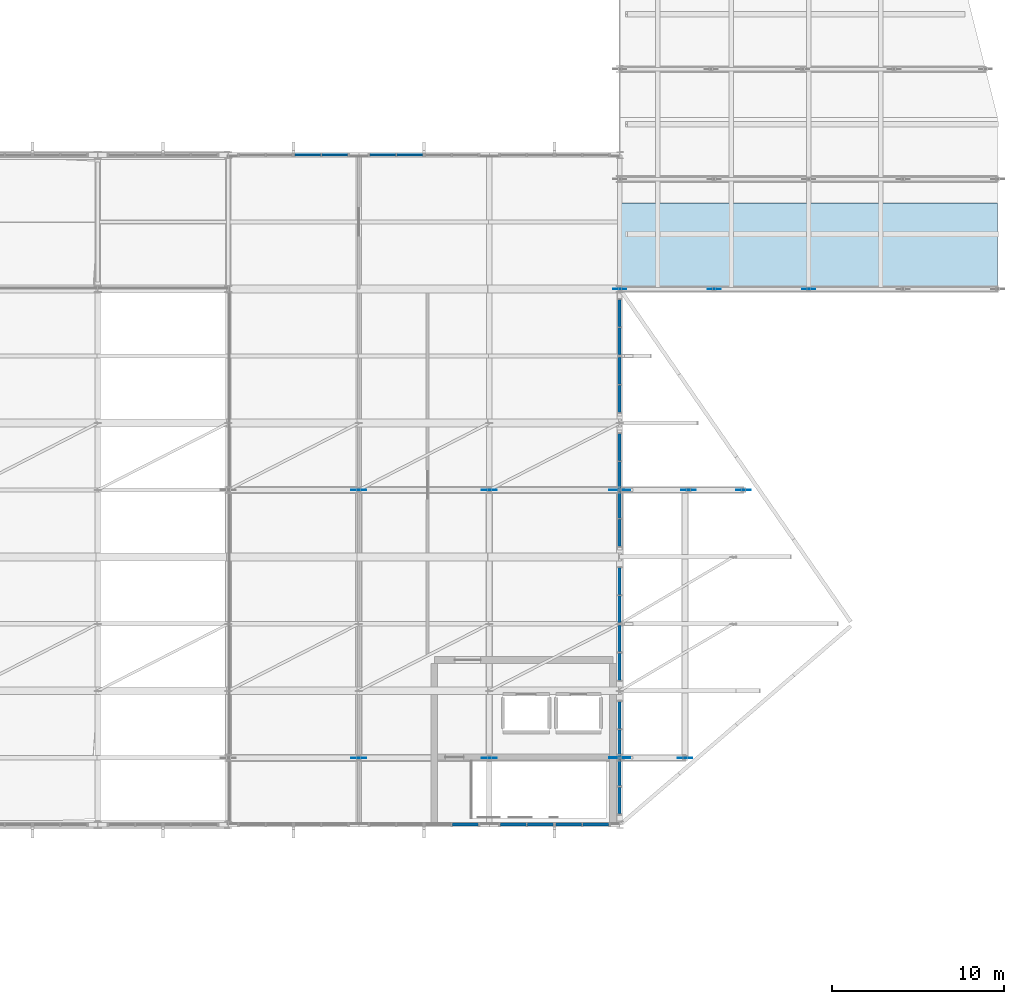
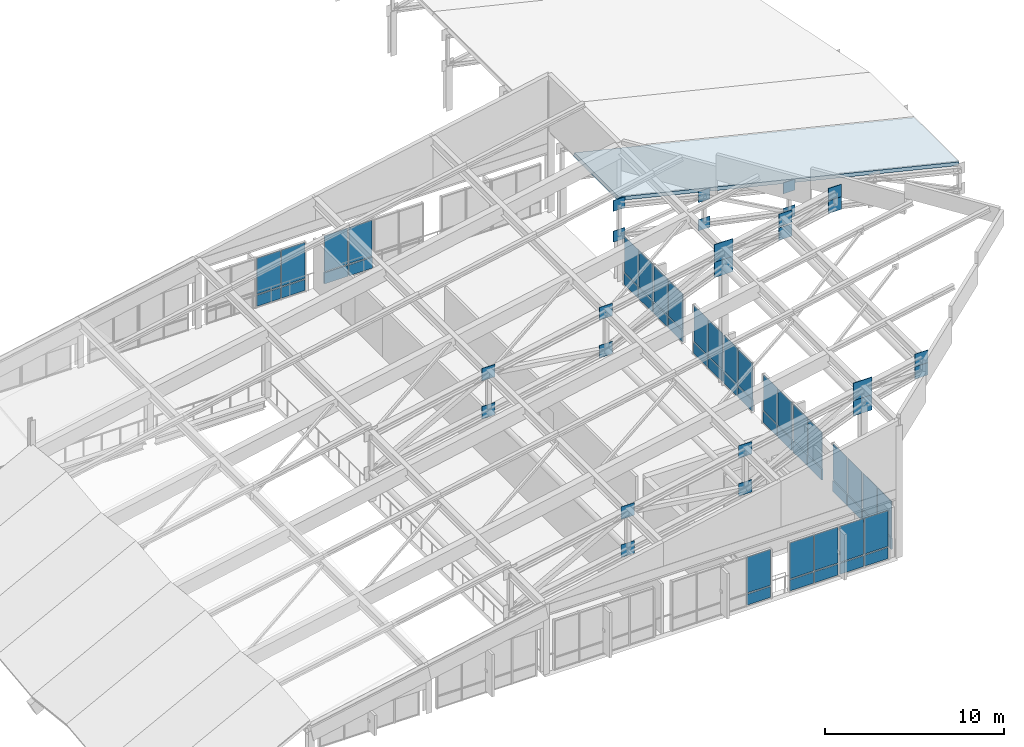
# One storey, part 41 of 73: 74 plates, 1 slab, 13 elements without a shape of their own.
"""IFC4 building model written with IfcOpenShell, lengths in metres."""

from ifc_helpers import new_model, si_unit, direction, frame, origin, origin_2d, place, context, subcontext, project, spatial, polyline, rectangle, outline, extrude, material, layer, layer_set, type_object, element, aggregate, save


model = new_model("IFC4")

# Units and contexts
model_context = context("Model", 3, precision=1e-05, world=origin(), true_north=direction((0.0, 1.0)))
body_context = subcontext(model_context, "Body", "Model", "MODEL_VIEW")
ifc_project = project(units=[si_unit("LENGTHUNIT", "METRE"), si_unit("AREAUNIT", "SQUARE_METRE"), si_unit("VOLUMEUNIT", "CUBIC_METRE"), si_unit("PLANEANGLEUNIT", "RADIAN"), si_unit("MASSUNIT", "GRAM", prefix="KILO")], contexts=[model_context])

# Site, building, storey
site_placement = place(None, origin())
site = spatial("IfcSite", under=ifc_project, at=site_placement, CompositionType="ELEMENT")
building_placement = place(site_placement, origin())
building = spatial("IfcBuilding", under=site, at=building_placement, Name="Vervanel Yard Central Library", CompositionType="ELEMENT")
storey_placement = place(building_placement, frame((0.0, 0.0, 12.780029296875)))
storey = spatial("IfcBuildingStorey", under=building, at=storey_placement, Name="L03", CompositionType="ELEMENT", Elevation=12.780029296875)

# Slab
ifc_material_1 = material(Name="Concrete C45/55", Category="concrete")
ifc_layer_1 = layer(ifc_material_1, 0.239990234375, Category="concrete")
ifc_layer_set_1 = layer_set([ifc_layer_1], Name="Concrete C45/55")
slab_type = type_object("IfcSlabType", Name="Auditorium Acoustic Sloped Roof Slab 240", PredefinedType="ROOF", material=ifc_layer_set_1)
slab_placement = place(storey_placement, frame((146.0, 74.39990234375, 5.619873046875), z_axis=(0.234200379934, 0.0, 0.972188346998), x_axis=(0.972188346998, 0.0, -0.234200379934)))
element("IfcSlab", 1, at=slab_placement, inside=storey, type_object=slab_type, Name="L03 V4 Auditorium Acoustic Sloped Roof Slab 240 V4-RS-01", PredefinedType="ROOF", context=body_context, shape_type="SweptSolid", body=[
    extrude(outline(polyline([(0.0, 0.0), (22.629359905345247, 0.0), (22.629359905345247, 5.000000000000001), (0.0, 5.000000000000001), (0.0, 0.0)])), origin(), (0.0, 0.0, -1.0), 0.239990234375),
])

# Plates
ifc_material_2 = material(Name="Steel ASTM A572 Grade 50", Category="steel")
ifc_layer_2 = layer(ifc_material_2, 0.028076171875, Category="steel")
ifc_layer_set_2 = layer_set([ifc_layer_2], Name="Steel ASTM A572 Grade 50")
plate_type_1 = type_object("IfcPlateType", Name="Auditorium Truss Gusset Plate 28", PredefinedType="SHEET", material=ifc_layer_set_2)
for number, where, z_axis, x_axis, name in (
    (2, (146.0, 74.39990234375, 4.764892578125), (0.0, 0.0, 1.0), (1.0, 0.0, 0.0), "Auditorium Truss 1 Node 1 T Gusset Plate"),
    (3, (146.0, 74.39990234375, 2.6650390625), (0.0, 0.0, 1.0), (1.0, 0.0, 0.0), "Auditorium Truss 1 Node 1 B Gusset Plate"),
    (4, (151.5, 74.39990234375, 3.43994140625), (0.0, 0.0, 1.0), (1.0, 0.0, 0.0), "Auditorium Truss 1 Node 2 T Gusset Plate"),
    (5, (151.5, 74.39990234375, 1.514892578125), (0.0, 0.0, 1.0), (1.0, 0.0, 0.0), "Auditorium Truss 1 Node 2 B Gusset Plate"),
    (6, (157.0, 74.39990234375, 2.114990234375), (0.0, 0.0, 1.0), (1.0, 0.0, 0.0), "Auditorium Truss 1 Node 3 T Gusset Plate"),
    (7, (157.0, 74.39990234375, 0.364990234375), (0.0, 0.0, 1.0), (1.0, 0.0, 0.0), "Auditorium Truss 1 Node 3 B Gusset Plate"),
):
    element("IfcPlate", number, at=place(storey_placement, frame(where, z_axis=z_axis, x_axis=x_axis)), inside=storey, type_object=plate_type_1, Name=name, PredefinedType="SHEET", context=body_context, shape_type="SweptSolid", body=[
        extrude(rectangle(XDim=0.75, YDim=0.028076171875, at=origin_2d()), origin(), (0.0, 0.0, 1.0), 0.75),
    ])
ifc_layer_3 = layer(ifc_material_2, 0.0400390625, Category="steel")
ifc_layer_set_3 = layer_set([ifc_layer_3], Name="Steel ASTM A572 Grade 50")
plate_type_2 = type_object("IfcPlateType", Name="Prow Truss Fulcrum Gusset Plate 40", PredefinedType="SHEET", material=ifc_layer_set_3)
for number, where, z_axis, x_axis, name in (
    (8, (146.0, 47.10009765625, 8.46533203125), (0.0, 0.0, 1.0), (1.0, 0.0, 0.0), "Prow Truss S Node 4 TOP Gusset Plate"),
    (9, (146.0, 47.10009765625, 7.41552734375), (0.0, 0.0, 1.0), (1.0, 0.0, 0.0), "Prow Truss S Node 4 BOT Gusset Plate"),
    (10, (146.0, 62.699951171875, 8.46533203125), (0.0, 0.0, 1.0), (1.0, 0.0, 0.0), "Prow Truss N Node 4 TOP Gusset Plate"),
    (11, (146.0, 62.699951171875, 7.41552734375), (0.0, 0.0, 1.0), (1.0, 0.0, 0.0), "Prow Truss N Node 4 BOT Gusset Plate"),
):
    element("IfcPlate", number, at=place(storey_placement, frame(where, z_axis=z_axis, x_axis=x_axis)), inside=storey, type_object=plate_type_2, Name=name, PredefinedType="SHEET", context=body_context, shape_type="SweptSolid", body=[
        extrude(rectangle(XDim=1.199951171875, YDim=0.0400390625, at=origin_2d()), origin(), (0.0, 0.0, 1.0), 1.199951171875),
    ])
ifc_layer_4 = layer(ifc_material_2, 0.031982421875, Category="steel")
ifc_layer_set_4 = layer_set([ifc_layer_4], Name="Steel ASTM A572 Grade 50")
plate_type_3 = type_object("IfcPlateType", Name="Prow Truss Node Cap Plate 32", PredefinedType="SHEET", material=ifc_layer_set_4)
for number, where, z_axis, x_axis, name in (
    (12, (130.800048828125, 47.10009765625, 5.606201171875), (0.0, 0.0, 1.0), (1.0, 0.0, 0.0), "Prow Truss S Node 2 TOP Gusset Plate"),
    (13, (130.800048828125, 47.10009765625, 3.006103515625), (0.0, 0.0, 1.0), (1.0, 0.0, 0.0), "Prow Truss S Node 2 BOT Gusset Plate"),
    (14, (138.39990234375, 47.10009765625, 7.123046875), (0.0, 0.0, 1.0), (1.0, 0.0, 0.0), "Prow Truss S Node 3 TOP Gusset Plate"),
    (15, (138.39990234375, 47.10009765625, 4.523193359375), (0.0, 0.0, 1.0), (1.0, 0.0, 0.0), "Prow Truss S Node 3 BOT Gusset Plate"),
    (16, (149.800048828125, 47.10009765625, 9.398681640625), (0.0, 0.0, 1.0), (1.0, 0.0, 0.0), "Prow Truss S Node 5 TOP Gusset Plate"),
    (17, (149.800048828125, 47.10009765625, 8.538818359375), (0.0, 0.0, 1.0), (1.0, 0.0, 0.0), "Prow Truss S Node 5 BOT Gusset Plate"),
    (18, (130.800048828125, 62.699951171875, 5.606201171875), (0.0, 0.0, 1.0), (1.0, 0.0, 0.0), "Prow Truss N Node 2 TOP Gusset Plate"),
    (19, (130.800048828125, 62.699951171875, 3.006103515625), (0.0, 0.0, 1.0), (1.0, 0.0, 0.0), "Prow Truss N Node 2 BOT Gusset Plate"),
    (20, (138.39990234375, 62.699951171875, 7.123046875), (0.0, 0.0, 1.0), (1.0, 0.0, 0.0), "Prow Truss N Node 3 TOP Gusset Plate"),
    (21, (138.39990234375, 62.699951171875, 4.523193359375), (0.0, 0.0, 1.0), (1.0, 0.0, 0.0), "Prow Truss N Node 3 BOT Gusset Plate"),
    (22, (150.0, 62.699951171875, 9.438720703125), (0.0, 0.0, 1.0), (1.0, 0.0, 0.0), "Prow Truss N Node 5 TOP Gusset Plate"),
    (23, (150.0, 62.699951171875, 8.49853515625), (0.0, 0.0, 1.0), (1.0, 0.0, 0.0), "Prow Truss N Node 5 BOT Gusset Plate"),
    (24, (153.199951171875, 62.699951171875, 10.077392578125), (0.0, 0.0, 1.0), (1.0, 0.0, 0.0), "Prow Truss N Node 6 TOP Gusset Plate"),
    (25, (153.199951171875, 62.699951171875, 9.217529296875), (0.0, 0.0, 1.0), (1.0, 0.0, 0.0), "Prow Truss N Node 6 BOT Gusset Plate"),
):
    element("IfcPlate", number, at=place(storey_placement, frame(where, z_axis=z_axis, x_axis=x_axis)), inside=storey, type_object=plate_type_3, Name=name, PredefinedType="SHEET", context=body_context, shape_type="SweptSolid", body=[
        extrude(rectangle(XDim=0.85009765625, YDim=0.031982421875, at=origin_2d()), origin(), (0.0, 0.0, 1.0), 0.85009765625),
    ])

# Curtain wall, plate
ifc_material_3 = material(Name="Thermally broken anodized aluminium 6063-T6", Category="aluminium")
curtain_wall_type = type_object("IfcCurtainWallType", Name="Prow Cantilever Glazed Curtain Wall", PredefinedType="NOTDEFINED", material=ifc_material_3)
curtain_wall_1_placement = place(storey_placement, origin())
curtain_wall_1 = element("IfcCurtainWall", 26, at=curtain_wall_1_placement, inside=storey, type_object=curtain_wall_type, Name="L03 Prow Cantilever Glazed Curtain Wall CWR-L03-083", PredefinedType="NOTDEFINED")
ifc_material_4 = material(Name="Double low-E laminated solar-control glass", Category="glass")
ifc_layer_5 = layer(ifc_material_4, 0.0380859375, Category="glass")
ifc_layer_set_5 = layer_set([ifc_layer_5], Name="Double low-E laminated solar-control glass")
plate_type_4 = type_object("IfcPlateType", Name="Reading Hall Acoustic Vision Panel 38", PredefinedType="CURTAIN_PANEL", material=ifc_layer_set_5)
plate_1_placement = place(storey_placement, frame((137.012451171875, 43.199951171875, 0.884765625), z_axis=(0.0, 0.0, 1.0), x_axis=(1.0, 0.0, 0.0)))
plate_1 = element("IfcPlate", 27, at=plate_1_placement, type_object=plate_type_4, Name="CWR-L03-083 Panel B2-2", PredefinedType="CURTAIN_PANEL", context=body_context, shape_type="SweptSolid", body=[
    extrude(rectangle(XDim=1.514892578125, YDim=0.0380859375, at=origin_2d()), origin(), (0.0, 0.0, 1.0), 2.445068359375),
])

# Curtain wall, plates
curtain_wall_2_placement = place(storey_placement, origin())
curtain_wall_2 = element("IfcCurtainWall", 28, at=curtain_wall_2_placement, inside=storey, type_object=curtain_wall_type, Name="L03 Prow Cantilever Glazed Curtain Wall CWR-L03-084", PredefinedType="NOTDEFINED")
plate_2_placement = place(storey_placement, frame((139.78759765625, 43.199951171875, 0.884765625), z_axis=(0.0, 0.0, 1.0), x_axis=(1.0, 0.0, 0.0)))
plate_2 = element("IfcPlate", 29, at=plate_2_placement, type_object=plate_type_4, Name="CWR-L03-084 Panel B1-2", PredefinedType="CURTAIN_PANEL", context=body_context, shape_type="SweptSolid", body=[
    extrude(rectangle(XDim=1.514892578125, YDim=0.0380859375, at=origin_2d()), origin(), (0.0, 0.0, 1.0), 2.445068359375),
])
plate_3_placement = place(storey_placement, frame((141.37255859375, 43.199951171875, 0.884765625), z_axis=(0.0, 0.0, 1.0), x_axis=(1.0, 0.0, 0.0)))
plate_3 = element("IfcPlate", 30, at=plate_3_placement, type_object=plate_type_4, Name="CWR-L03-084 Panel B2-2", PredefinedType="CURTAIN_PANEL", context=body_context, shape_type="SweptSolid", body=[
    extrude(rectangle(XDim=1.514892578125, YDim=0.0380859375, at=origin_2d()), origin(), (0.0, 0.0, 1.0), 2.445068359375),
])

curtain_wall_3_placement = place(storey_placement, origin())
curtain_wall_3 = element("IfcCurtainWall", 31, at=curtain_wall_3_placement, inside=storey, type_object=curtain_wall_type, Name="L03 Prow Cantilever Glazed Curtain Wall CWR-L03-085", PredefinedType="NOTDEFINED")
plate_4_placement = place(storey_placement, frame((143.027587890625, 43.199951171875, 0.884765625), z_axis=(0.0, 0.0, 1.0), x_axis=(1.0, 0.0, 0.0)))
plate_4 = element("IfcPlate", 32, at=plate_4_placement, type_object=plate_type_4, Name="CWR-L03-085 Panel B1-2", PredefinedType="CURTAIN_PANEL", context=body_context, shape_type="SweptSolid", body=[
    extrude(rectangle(XDim=1.514892578125, YDim=0.0380859375, at=origin_2d()), origin(), (0.0, 0.0, 1.0), 2.445068359375),
])
plate_5_placement = place(storey_placement, frame((144.612548828125, 43.199951171875, 0.884765625), z_axis=(0.0, 0.0, 1.0), x_axis=(1.0, 0.0, 0.0)))
plate_5 = element("IfcPlate", 33, at=plate_5_placement, type_object=plate_type_4, Name="CWR-L03-085 Panel B2-2", PredefinedType="CURTAIN_PANEL", context=body_context, shape_type="SweptSolid", body=[
    extrude(rectangle(XDim=1.514892578125, YDim=0.0380859375, at=origin_2d()), origin(), (0.0, 0.0, 1.0), 2.445068359375),
])

curtain_wall_4_placement = place(storey_placement, origin())
curtain_wall_4 = element("IfcCurtainWall", 34, at=curtain_wall_4_placement, inside=storey, type_object=curtain_wall_type, Name="L03 Prow Cantilever Glazed Curtain Wall CWR-L03-113", PredefinedType="NOTDEFINED")
plate_6_placement = place(storey_placement, frame((127.827392578125, 82.199951171875, 0.884765625), z_axis=(0.0, 0.0, 1.0), x_axis=(1.0, 0.0, 0.0)))
plate_6 = element("IfcPlate", 35, at=plate_6_placement, type_object=plate_type_4, Name="CWR-L03-113 Panel B1-2", PredefinedType="CURTAIN_PANEL", context=body_context, shape_type="SweptSolid", body=[
    extrude(rectangle(XDim=1.514892578125, YDim=0.0380859375, at=origin_2d()), origin(), (0.0, 0.0, 1.0), 2.445068359375),
])
plate_7_placement = place(storey_placement, frame((129.41259765625, 82.199951171875, 0.884765625), z_axis=(0.0, 0.0, 1.0), x_axis=(1.0, 0.0, 0.0)))
plate_7 = element("IfcPlate", 36, at=plate_7_placement, type_object=plate_type_4, Name="CWR-L03-113 Panel B2-2", PredefinedType="CURTAIN_PANEL", context=body_context, shape_type="SweptSolid", body=[
    extrude(rectangle(XDim=1.514892578125, YDim=0.0380859375, at=origin_2d()), origin(), (0.0, 0.0, 1.0), 2.445068359375),
])

curtain_wall_5_placement = place(storey_placement, origin())
curtain_wall_5 = element("IfcCurtainWall", 37, at=curtain_wall_5_placement, inside=storey, type_object=curtain_wall_type, Name="L03 Prow Cantilever Glazed Curtain Wall CWR-L03-114", PredefinedType="NOTDEFINED")
plate_8_placement = place(storey_placement, frame((132.1875, 82.199951171875, 0.884765625), z_axis=(0.0, 0.0, 1.0), x_axis=(1.0, 0.0, 0.0)))
plate_8 = element("IfcPlate", 38, at=plate_8_placement, type_object=plate_type_4, Name="CWR-L03-114 Panel B1-2", PredefinedType="CURTAIN_PANEL", context=body_context, shape_type="SweptSolid", body=[
    extrude(rectangle(XDim=1.514892578125, YDim=0.0380859375, at=origin_2d()), origin(), (0.0, 0.0, 1.0), 2.445068359375),
])
plate_9_placement = place(storey_placement, frame((133.7724609375, 82.199951171875, 0.884765625), z_axis=(0.0, 0.0, 1.0), x_axis=(1.0, 0.0, 0.0)))
plate_9 = element("IfcPlate", 39, at=plate_9_placement, type_object=plate_type_4, Name="CWR-L03-114 Panel B2-2", PredefinedType="CURTAIN_PANEL", context=body_context, shape_type="SweptSolid", body=[
    extrude(rectangle(XDim=1.514892578125, YDim=0.0380859375, at=origin_2d()), origin(), (0.0, 0.0, 1.0), 2.445068359375),
])

curtain_wall_6_placement = place(storey_placement, origin())
curtain_wall_6 = element("IfcCurtainWall", 40, at=curtain_wall_6_placement, inside=storey, type_object=curtain_wall_type, Name="L03 Prow Cantilever Glazed Curtain Wall CWR-L03-140", PredefinedType="NOTDEFINED")
plate_10_placement = place(storey_placement, frame((146.0, 44.612548828125, 0.884765625), z_axis=(0.0, 0.0, 1.0), x_axis=(0.0, 1.0, 0.0)))
plate_10 = element("IfcPlate", 41, at=plate_10_placement, type_object=plate_type_4, Name="CWR-L03-140 Panel B1-2", PredefinedType="CURTAIN_PANEL", context=body_context, shape_type="SweptSolid", body=[
    extrude(rectangle(XDim=1.56494140625, YDim=0.0380859375, at=origin_2d()), origin(), (0.0, 0.0, 1.0), 2.445068359375),
])
plate_11_placement = place(storey_placement, frame((146.0, 46.24755859375, 0.884765625), z_axis=(0.0, 0.0, 1.0), x_axis=(0.0, 1.0, 0.0)))
plate_11 = element("IfcPlate", 42, at=plate_11_placement, type_object=plate_type_4, Name="CWR-L03-140 Panel B2-2", PredefinedType="CURTAIN_PANEL", context=body_context, shape_type="SweptSolid", body=[
    extrude(rectangle(XDim=1.56494140625, YDim=0.0380859375, at=origin_2d()), origin(), (0.0, 0.0, 1.0), 2.445068359375),
])

curtain_wall_7_placement = place(storey_placement, origin())
curtain_wall_7 = element("IfcCurtainWall", 43, at=curtain_wall_7_placement, inside=storey, type_object=curtain_wall_type, Name="L03 Prow Cantilever Glazed Curtain Wall CWR-L03-141", PredefinedType="NOTDEFINED")
plate_12_placement = place(storey_placement, frame((146.0, 47.952392578125, 0.884765625), z_axis=(0.0, 0.0, 1.0), x_axis=(0.0, 1.0, 0.0)))
plate_12 = element("IfcPlate", 44, at=plate_12_placement, type_object=plate_type_4, Name="CWR-L03-141 Panel B1-2", PredefinedType="CURTAIN_PANEL", context=body_context, shape_type="SweptSolid", body=[
    extrude(rectangle(XDim=1.56494140625, YDim=0.0380859375, at=origin_2d()), origin(), (0.0, 0.0, 1.0), 2.445068359375),
])
plate_13_placement = place(storey_placement, frame((146.0, 49.58740234375, 0.884765625), z_axis=(0.0, 0.0, 1.0), x_axis=(0.0, 1.0, 0.0)))
plate_13 = element("IfcPlate", 45, at=plate_13_placement, type_object=plate_type_4, Name="CWR-L03-141 Panel B2-2", PredefinedType="CURTAIN_PANEL", context=body_context, shape_type="SweptSolid", body=[
    extrude(rectangle(XDim=1.56494140625, YDim=0.0380859375, at=origin_2d()), origin(), (0.0, 0.0, 1.0), 2.445068359375),
])

curtain_wall_8_placement = place(storey_placement, origin())
curtain_wall_8 = element("IfcCurtainWall", 46, at=curtain_wall_8_placement, inside=storey, type_object=curtain_wall_type, Name="L03 Prow Cantilever Glazed Curtain Wall CWR-L03-142", PredefinedType="NOTDEFINED")
plate_14_placement = place(storey_placement, frame((146.0, 52.41259765625, 0.884765625), z_axis=(0.0, 0.0, 1.0), x_axis=(0.0, 1.0, 0.0)))
plate_14 = element("IfcPlate", 47, at=plate_14_placement, type_object=plate_type_4, Name="CWR-L03-142 Panel B1-2", PredefinedType="CURTAIN_PANEL", context=body_context, shape_type="SweptSolid", body=[
    extrude(rectangle(XDim=1.56494140625, YDim=0.0380859375, at=origin_2d()), origin(), (0.0, 0.0, 1.0), 2.445068359375),
])
plate_15_placement = place(storey_placement, frame((146.0, 54.047607421875, 0.884765625), z_axis=(0.0, 0.0, 1.0), x_axis=(0.0, 1.0, 0.0)))
plate_15 = element("IfcPlate", 48, at=plate_15_placement, type_object=plate_type_4, Name="CWR-L03-142 Panel B2-2", PredefinedType="CURTAIN_PANEL", context=body_context, shape_type="SweptSolid", body=[
    extrude(rectangle(XDim=1.56494140625, YDim=0.0380859375, at=origin_2d()), origin(), (0.0, 0.0, 1.0), 2.445068359375),
])

curtain_wall_9_placement = place(storey_placement, origin())
curtain_wall_9 = element("IfcCurtainWall", 49, at=curtain_wall_9_placement, inside=storey, type_object=curtain_wall_type, Name="L03 Prow Cantilever Glazed Curtain Wall CWR-L03-143", PredefinedType="NOTDEFINED")
plate_16_placement = place(storey_placement, frame((146.0, 55.75244140625, 0.884765625), z_axis=(0.0, 0.0, 1.0), x_axis=(0.0, 1.0, 0.0)))
plate_16 = element("IfcPlate", 50, at=plate_16_placement, type_object=plate_type_4, Name="CWR-L03-143 Panel B1-2", PredefinedType="CURTAIN_PANEL", context=body_context, shape_type="SweptSolid", body=[
    extrude(rectangle(XDim=1.56494140625, YDim=0.0380859375, at=origin_2d()), origin(), (0.0, 0.0, 1.0), 2.445068359375),
])
plate_17_placement = place(storey_placement, frame((146.0, 57.387451171875, 0.884765625), z_axis=(0.0, 0.0, 1.0), x_axis=(0.0, 1.0, 0.0)))
plate_17 = element("IfcPlate", 51, at=plate_17_placement, type_object=plate_type_4, Name="CWR-L03-143 Panel B2-2", PredefinedType="CURTAIN_PANEL", context=body_context, shape_type="SweptSolid", body=[
    extrude(rectangle(XDim=1.56494140625, YDim=0.0380859375, at=origin_2d()), origin(), (0.0, 0.0, 1.0), 2.445068359375),
])

curtain_wall_10_placement = place(storey_placement, origin())
curtain_wall_10 = element("IfcCurtainWall", 52, at=curtain_wall_10_placement, inside=storey, type_object=curtain_wall_type, Name="L03 Prow Cantilever Glazed Curtain Wall CWR-L03-144", PredefinedType="NOTDEFINED")
plate_18_placement = place(storey_placement, frame((146.0, 60.21240234375, 0.884765625), z_axis=(0.0, 0.0, 1.0), x_axis=(0.0, 1.0, 0.0)))
plate_18 = element("IfcPlate", 53, at=plate_18_placement, type_object=plate_type_4, Name="CWR-L03-144 Panel B1-2", PredefinedType="CURTAIN_PANEL", context=body_context, shape_type="SweptSolid", body=[
    extrude(rectangle(XDim=1.56494140625, YDim=0.0380859375, at=origin_2d()), origin(), (0.0, 0.0, 1.0), 2.445068359375),
])
plate_19_placement = place(storey_placement, frame((146.0, 61.847412109375, 0.884765625), z_axis=(0.0, 0.0, 1.0), x_axis=(0.0, 1.0, 0.0)))
plate_19 = element("IfcPlate", 54, at=plate_19_placement, type_object=plate_type_4, Name="CWR-L03-144 Panel B2-2", PredefinedType="CURTAIN_PANEL", context=body_context, shape_type="SweptSolid", body=[
    extrude(rectangle(XDim=1.56494140625, YDim=0.0380859375, at=origin_2d()), origin(), (0.0, 0.0, 1.0), 2.445068359375),
])

curtain_wall_11_placement = place(storey_placement, origin())
curtain_wall_11 = element("IfcCurtainWall", 55, at=curtain_wall_11_placement, inside=storey, type_object=curtain_wall_type, Name="L03 Prow Cantilever Glazed Curtain Wall CWR-L03-145", PredefinedType="NOTDEFINED")
plate_20_placement = place(storey_placement, frame((146.0, 63.552490234375, 0.884765625), z_axis=(0.0, 0.0, 1.0), x_axis=(0.0, 1.0, 0.0)))
plate_20 = element("IfcPlate", 56, at=plate_20_placement, type_object=plate_type_4, Name="CWR-L03-145 Panel B1-2", PredefinedType="CURTAIN_PANEL", context=body_context, shape_type="SweptSolid", body=[
    extrude(rectangle(XDim=1.56494140625, YDim=0.0380859375, at=origin_2d()), origin(), (0.0, 0.0, 1.0), 2.445068359375),
])
plate_21_placement = place(storey_placement, frame((146.0, 65.1875, 0.884765625), z_axis=(0.0, 0.0, 1.0), x_axis=(0.0, 1.0, 0.0)))
plate_21 = element("IfcPlate", 57, at=plate_21_placement, type_object=plate_type_4, Name="CWR-L03-145 Panel B2-2", PredefinedType="CURTAIN_PANEL", context=body_context, shape_type="SweptSolid", body=[
    extrude(rectangle(XDim=1.56494140625, YDim=0.0380859375, at=origin_2d()), origin(), (0.0, 0.0, 1.0), 2.445068359375),
])

curtain_wall_12_placement = place(storey_placement, origin())
curtain_wall_12 = element("IfcCurtainWall", 58, at=curtain_wall_12_placement, inside=storey, type_object=curtain_wall_type, Name="L03 Prow Cantilever Glazed Curtain Wall CWR-L03-146", PredefinedType="NOTDEFINED")
plate_22_placement = place(storey_placement, frame((146.0, 68.012451171875, 0.884765625), z_axis=(0.0, 0.0, 1.0), x_axis=(0.0, 1.0, 0.0)))
plate_22 = element("IfcPlate", 59, at=plate_22_placement, type_object=plate_type_4, Name="CWR-L03-146 Panel B1-2", PredefinedType="CURTAIN_PANEL", context=body_context, shape_type="SweptSolid", body=[
    extrude(rectangle(XDim=1.56494140625, YDim=0.0380859375, at=origin_2d()), origin(), (0.0, 0.0, 1.0), 2.445068359375),
])
plate_23_placement = place(storey_placement, frame((146.0, 69.6474609375, 0.884765625), z_axis=(0.0, 0.0, 1.0), x_axis=(0.0, 1.0, 0.0)))
plate_23 = element("IfcPlate", 60, at=plate_23_placement, type_object=plate_type_4, Name="CWR-L03-146 Panel B2-2", PredefinedType="CURTAIN_PANEL", context=body_context, shape_type="SweptSolid", body=[
    extrude(rectangle(XDim=1.56494140625, YDim=0.0380859375, at=origin_2d()), origin(), (0.0, 0.0, 1.0), 2.445068359375),
])

curtain_wall_13_placement = place(storey_placement, origin())
curtain_wall_13 = element("IfcCurtainWall", 61, at=curtain_wall_13_placement, inside=storey, type_object=curtain_wall_type, Name="L03 Prow Cantilever Glazed Curtain Wall CWR-L03-147", PredefinedType="NOTDEFINED")
plate_24_placement = place(storey_placement, frame((146.0, 71.3525390625, 0.884765625), z_axis=(0.0, 0.0, 1.0), x_axis=(0.0, 1.0, 0.0)))
plate_24 = element("IfcPlate", 62, at=plate_24_placement, type_object=plate_type_4, Name="CWR-L03-147 Panel B1-2", PredefinedType="CURTAIN_PANEL", context=body_context, shape_type="SweptSolid", body=[
    extrude(rectangle(XDim=1.56494140625, YDim=0.0380859375, at=origin_2d()), origin(), (0.0, 0.0, 1.0), 2.445068359375),
])
plate_25_placement = place(storey_placement, frame((146.0, 72.987548828125, 0.884765625), z_axis=(0.0, 0.0, 1.0), x_axis=(0.0, 1.0, 0.0)))
plate_25 = element("IfcPlate", 63, at=plate_25_placement, type_object=plate_type_4, Name="CWR-L03-147 Panel B2-2", PredefinedType="CURTAIN_PANEL", context=body_context, shape_type="SweptSolid", body=[
    extrude(rectangle(XDim=1.56494140625, YDim=0.0380859375, at=origin_2d()), origin(), (0.0, 0.0, 1.0), 2.445068359375),
])

# Plate
ifc_material_5 = material(Name="Insulated bronze aluminium spandrel panel", Category="aluminium")
ifc_layer_6 = layer(ifc_material_5, 0.094970703125, Category="aluminium")
ifc_layer_set_6 = layer_set([ifc_layer_6], Name="Insulated bronze aluminium spandrel panel")
plate_type_5 = type_object("IfcPlateType", Name="Reading Hall Shadow-Box Spandrel 95", PredefinedType="CURTAIN_PANEL", material=ifc_layer_set_6)
plate_26_placement = place(storey_placement, frame((137.012451171875, 43.199951171875, 0.06982421875), z_axis=(0.0, 0.0, 1.0), x_axis=(1.0, 0.0, 0.0)))
plate_26 = element("IfcPlate", 64, at=plate_26_placement, type_object=plate_type_5, Name="CWR-L03-083 Panel B2-1", PredefinedType="CURTAIN_PANEL", context=body_context, shape_type="SweptSolid", body=[
    extrude(rectangle(XDim=1.514892578125, YDim=0.094970703125, at=origin_2d()), origin(), (0.0, 0.0, 1.0), 0.7451171875),
])

aggregate(curtain_wall_1, [plate_26, plate_1])

plate_27_placement = place(storey_placement, frame((139.78759765625, 43.199951171875, 0.06982421875), z_axis=(0.0, 0.0, 1.0), x_axis=(1.0, 0.0, 0.0)))
plate_27 = element("IfcPlate", 65, at=plate_27_placement, type_object=plate_type_5, Name="CWR-L03-084 Panel B1-1", PredefinedType="CURTAIN_PANEL", context=body_context, shape_type="SweptSolid", body=[
    extrude(rectangle(XDim=1.514892578125, YDim=0.094970703125, at=origin_2d()), origin(), (0.0, 0.0, 1.0), 0.7451171875),
])

plate_28_placement = place(storey_placement, frame((141.37255859375, 43.199951171875, 0.06982421875), z_axis=(0.0, 0.0, 1.0), x_axis=(1.0, 0.0, 0.0)))
plate_28 = element("IfcPlate", 66, at=plate_28_placement, type_object=plate_type_5, Name="CWR-L03-084 Panel B2-1", PredefinedType="CURTAIN_PANEL", context=body_context, shape_type="SweptSolid", body=[
    extrude(rectangle(XDim=1.514892578125, YDim=0.094970703125, at=origin_2d()), origin(), (0.0, 0.0, 1.0), 0.7451171875),
])

aggregate(curtain_wall_2, [plate_27, plate_2, plate_28, plate_3])

plate_29_placement = place(storey_placement, frame((143.027587890625, 43.199951171875, 0.06982421875), z_axis=(0.0, 0.0, 1.0), x_axis=(1.0, 0.0, 0.0)))
plate_29 = element("IfcPlate", 67, at=plate_29_placement, type_object=plate_type_5, Name="CWR-L03-085 Panel B1-1", PredefinedType="CURTAIN_PANEL", context=body_context, shape_type="SweptSolid", body=[
    extrude(rectangle(XDim=1.514892578125, YDim=0.094970703125, at=origin_2d()), origin(), (0.0, 0.0, 1.0), 0.7451171875),
])

plate_30_placement = place(storey_placement, frame((144.612548828125, 43.199951171875, 0.06982421875), z_axis=(0.0, 0.0, 1.0), x_axis=(1.0, 0.0, 0.0)))
plate_30 = element("IfcPlate", 68, at=plate_30_placement, type_object=plate_type_5, Name="CWR-L03-085 Panel B2-1", PredefinedType="CURTAIN_PANEL", context=body_context, shape_type="SweptSolid", body=[
    extrude(rectangle(XDim=1.514892578125, YDim=0.094970703125, at=origin_2d()), origin(), (0.0, 0.0, 1.0), 0.7451171875),
])

aggregate(curtain_wall_3, [plate_29, plate_4, plate_30, plate_5])

plate_31_placement = place(storey_placement, frame((127.827392578125, 82.199951171875, 0.06982421875), z_axis=(0.0, 0.0, 1.0), x_axis=(1.0, 0.0, 0.0)))
plate_31 = element("IfcPlate", 69, at=plate_31_placement, type_object=plate_type_5, Name="CWR-L03-113 Panel B1-1", PredefinedType="CURTAIN_PANEL", context=body_context, shape_type="SweptSolid", body=[
    extrude(rectangle(XDim=1.514892578125, YDim=0.094970703125, at=origin_2d()), origin(), (0.0, 0.0, 1.0), 0.7451171875),
])

plate_32_placement = place(storey_placement, frame((129.41259765625, 82.199951171875, 0.06982421875), z_axis=(0.0, 0.0, 1.0), x_axis=(1.0, 0.0, 0.0)))
plate_32 = element("IfcPlate", 70, at=plate_32_placement, type_object=plate_type_5, Name="CWR-L03-113 Panel B2-1", PredefinedType="CURTAIN_PANEL", context=body_context, shape_type="SweptSolid", body=[
    extrude(rectangle(XDim=1.514892578125, YDim=0.094970703125, at=origin_2d()), origin(), (0.0, 0.0, 1.0), 0.7451171875),
])

aggregate(curtain_wall_4, [plate_31, plate_6, plate_32, plate_7])

plate_33_placement = place(storey_placement, frame((132.1875, 82.199951171875, 0.06982421875), z_axis=(0.0, 0.0, 1.0), x_axis=(1.0, 0.0, 0.0)))
plate_33 = element("IfcPlate", 71, at=plate_33_placement, type_object=plate_type_5, Name="CWR-L03-114 Panel B1-1", PredefinedType="CURTAIN_PANEL", context=body_context, shape_type="SweptSolid", body=[
    extrude(rectangle(XDim=1.514892578125, YDim=0.094970703125, at=origin_2d()), origin(), (0.0, 0.0, 1.0), 0.7451171875),
])

plate_34_placement = place(storey_placement, frame((133.7724609375, 82.199951171875, 0.06982421875), z_axis=(0.0, 0.0, 1.0), x_axis=(1.0, 0.0, 0.0)))
plate_34 = element("IfcPlate", 72, at=plate_34_placement, type_object=plate_type_5, Name="CWR-L03-114 Panel B2-1", PredefinedType="CURTAIN_PANEL", context=body_context, shape_type="SweptSolid", body=[
    extrude(rectangle(XDim=1.514892578125, YDim=0.094970703125, at=origin_2d()), origin(), (0.0, 0.0, 1.0), 0.7451171875),
])

aggregate(curtain_wall_5, [plate_33, plate_8, plate_34, plate_9])

plate_35_placement = place(storey_placement, frame((146.0, 44.612548828125, 0.06982421875), z_axis=(0.0, 0.0, 1.0), x_axis=(0.0, 1.0, 0.0)))
plate_35 = element("IfcPlate", 73, at=plate_35_placement, type_object=plate_type_5, Name="CWR-L03-140 Panel B1-1", PredefinedType="CURTAIN_PANEL", context=body_context, shape_type="SweptSolid", body=[
    extrude(rectangle(XDim=1.56494140625, YDim=0.094970703125, at=origin_2d()), origin(), (0.0, 0.0, 1.0), 0.7451171875),
])

plate_36_placement = place(storey_placement, frame((146.0, 46.24755859375, 0.06982421875), z_axis=(0.0, 0.0, 1.0), x_axis=(0.0, 1.0, 0.0)))
plate_36 = element("IfcPlate", 74, at=plate_36_placement, type_object=plate_type_5, Name="CWR-L03-140 Panel B2-1", PredefinedType="CURTAIN_PANEL", context=body_context, shape_type="SweptSolid", body=[
    extrude(rectangle(XDim=1.56494140625, YDim=0.094970703125, at=origin_2d()), origin(), (0.0, 0.0, 1.0), 0.7451171875),
])

aggregate(curtain_wall_6, [plate_35, plate_10, plate_36, plate_11])

plate_37_placement = place(storey_placement, frame((146.0, 47.952392578125, 0.06982421875), z_axis=(0.0, 0.0, 1.0), x_axis=(0.0, 1.0, 0.0)))
plate_37 = element("IfcPlate", 75, at=plate_37_placement, type_object=plate_type_5, Name="CWR-L03-141 Panel B1-1", PredefinedType="CURTAIN_PANEL", context=body_context, shape_type="SweptSolid", body=[
    extrude(rectangle(XDim=1.56494140625, YDim=0.094970703125, at=origin_2d()), origin(), (0.0, 0.0, 1.0), 0.7451171875),
])

plate_38_placement = place(storey_placement, frame((146.0, 49.58740234375, 0.06982421875), z_axis=(0.0, 0.0, 1.0), x_axis=(0.0, 1.0, 0.0)))
plate_38 = element("IfcPlate", 76, at=plate_38_placement, type_object=plate_type_5, Name="CWR-L03-141 Panel B2-1", PredefinedType="CURTAIN_PANEL", context=body_context, shape_type="SweptSolid", body=[
    extrude(rectangle(XDim=1.56494140625, YDim=0.094970703125, at=origin_2d()), origin(), (0.0, 0.0, 1.0), 0.7451171875),
])

aggregate(curtain_wall_7, [plate_37, plate_12, plate_38, plate_13])

plate_39_placement = place(storey_placement, frame((146.0, 52.41259765625, 0.06982421875), z_axis=(0.0, 0.0, 1.0), x_axis=(0.0, 1.0, 0.0)))
plate_39 = element("IfcPlate", 77, at=plate_39_placement, type_object=plate_type_5, Name="CWR-L03-142 Panel B1-1", PredefinedType="CURTAIN_PANEL", context=body_context, shape_type="SweptSolid", body=[
    extrude(rectangle(XDim=1.56494140625, YDim=0.094970703125, at=origin_2d()), origin(), (0.0, 0.0, 1.0), 0.7451171875),
])

plate_40_placement = place(storey_placement, frame((146.0, 54.047607421875, 0.06982421875), z_axis=(0.0, 0.0, 1.0), x_axis=(0.0, 1.0, 0.0)))
plate_40 = element("IfcPlate", 78, at=plate_40_placement, type_object=plate_type_5, Name="CWR-L03-142 Panel B2-1", PredefinedType="CURTAIN_PANEL", context=body_context, shape_type="SweptSolid", body=[
    extrude(rectangle(XDim=1.56494140625, YDim=0.094970703125, at=origin_2d()), origin(), (0.0, 0.0, 1.0), 0.7451171875),
])

aggregate(curtain_wall_8, [plate_39, plate_14, plate_40, plate_15])

plate_41_placement = place(storey_placement, frame((146.0, 55.75244140625, 0.06982421875), z_axis=(0.0, 0.0, 1.0), x_axis=(0.0, 1.0, 0.0)))
plate_41 = element("IfcPlate", 79, at=plate_41_placement, type_object=plate_type_5, Name="CWR-L03-143 Panel B1-1", PredefinedType="CURTAIN_PANEL", context=body_context, shape_type="SweptSolid", body=[
    extrude(rectangle(XDim=1.56494140625, YDim=0.094970703125, at=origin_2d()), origin(), (0.0, 0.0, 1.0), 0.7451171875),
])

plate_42_placement = place(storey_placement, frame((146.0, 57.387451171875, 0.06982421875), z_axis=(0.0, 0.0, 1.0), x_axis=(0.0, 1.0, 0.0)))
plate_42 = element("IfcPlate", 80, at=plate_42_placement, type_object=plate_type_5, Name="CWR-L03-143 Panel B2-1", PredefinedType="CURTAIN_PANEL", context=body_context, shape_type="SweptSolid", body=[
    extrude(rectangle(XDim=1.56494140625, YDim=0.094970703125, at=origin_2d()), origin(), (0.0, 0.0, 1.0), 0.7451171875),
])

aggregate(curtain_wall_9, [plate_41, plate_16, plate_42, plate_17])

plate_43_placement = place(storey_placement, frame((146.0, 60.21240234375, 0.06982421875), z_axis=(0.0, 0.0, 1.0), x_axis=(0.0, 1.0, 0.0)))
plate_43 = element("IfcPlate", 81, at=plate_43_placement, type_object=plate_type_5, Name="CWR-L03-144 Panel B1-1", PredefinedType="CURTAIN_PANEL", context=body_context, shape_type="SweptSolid", body=[
    extrude(rectangle(XDim=1.56494140625, YDim=0.094970703125, at=origin_2d()), origin(), (0.0, 0.0, 1.0), 0.7451171875),
])

plate_44_placement = place(storey_placement, frame((146.0, 61.847412109375, 0.06982421875), z_axis=(0.0, 0.0, 1.0), x_axis=(0.0, 1.0, 0.0)))
plate_44 = element("IfcPlate", 82, at=plate_44_placement, type_object=plate_type_5, Name="CWR-L03-144 Panel B2-1", PredefinedType="CURTAIN_PANEL", context=body_context, shape_type="SweptSolid", body=[
    extrude(rectangle(XDim=1.56494140625, YDim=0.094970703125, at=origin_2d()), origin(), (0.0, 0.0, 1.0), 0.7451171875),
])

aggregate(curtain_wall_10, [plate_43, plate_18, plate_44, plate_19])

plate_45_placement = place(storey_placement, frame((146.0, 63.552490234375, 0.06982421875), z_axis=(0.0, 0.0, 1.0), x_axis=(0.0, 1.0, 0.0)))
plate_45 = element("IfcPlate", 83, at=plate_45_placement, type_object=plate_type_5, Name="CWR-L03-145 Panel B1-1", PredefinedType="CURTAIN_PANEL", context=body_context, shape_type="SweptSolid", body=[
    extrude(rectangle(XDim=1.56494140625, YDim=0.094970703125, at=origin_2d()), origin(), (0.0, 0.0, 1.0), 0.7451171875),
])

plate_46_placement = place(storey_placement, frame((146.0, 65.1875, 0.06982421875), z_axis=(0.0, 0.0, 1.0), x_axis=(0.0, 1.0, 0.0)))
plate_46 = element("IfcPlate", 84, at=plate_46_placement, type_object=plate_type_5, Name="CWR-L03-145 Panel B2-1", PredefinedType="CURTAIN_PANEL", context=body_context, shape_type="SweptSolid", body=[
    extrude(rectangle(XDim=1.56494140625, YDim=0.094970703125, at=origin_2d()), origin(), (0.0, 0.0, 1.0), 0.7451171875),
])

aggregate(curtain_wall_11, [plate_45, plate_20, plate_46, plate_21])

plate_47_placement = place(storey_placement, frame((146.0, 68.012451171875, 0.06982421875), z_axis=(0.0, 0.0, 1.0), x_axis=(0.0, 1.0, 0.0)))
plate_47 = element("IfcPlate", 85, at=plate_47_placement, type_object=plate_type_5, Name="CWR-L03-146 Panel B1-1", PredefinedType="CURTAIN_PANEL", context=body_context, shape_type="SweptSolid", body=[
    extrude(rectangle(XDim=1.56494140625, YDim=0.094970703125, at=origin_2d()), origin(), (0.0, 0.0, 1.0), 0.7451171875),
])

plate_48_placement = place(storey_placement, frame((146.0, 69.6474609375, 0.06982421875), z_axis=(0.0, 0.0, 1.0), x_axis=(0.0, 1.0, 0.0)))
plate_48 = element("IfcPlate", 86, at=plate_48_placement, type_object=plate_type_5, Name="CWR-L03-146 Panel B2-1", PredefinedType="CURTAIN_PANEL", context=body_context, shape_type="SweptSolid", body=[
    extrude(rectangle(XDim=1.56494140625, YDim=0.094970703125, at=origin_2d()), origin(), (0.0, 0.0, 1.0), 0.7451171875),
])

aggregate(curtain_wall_12, [plate_47, plate_22, plate_48, plate_23])

plate_49_placement = place(storey_placement, frame((146.0, 71.3525390625, 0.06982421875), z_axis=(0.0, 0.0, 1.0), x_axis=(0.0, 1.0, 0.0)))
plate_49 = element("IfcPlate", 87, at=plate_49_placement, type_object=plate_type_5, Name="CWR-L03-147 Panel B1-1", PredefinedType="CURTAIN_PANEL", context=body_context, shape_type="SweptSolid", body=[
    extrude(rectangle(XDim=1.56494140625, YDim=0.094970703125, at=origin_2d()), origin(), (0.0, 0.0, 1.0), 0.7451171875),
])

plate_50_placement = place(storey_placement, frame((146.0, 72.987548828125, 0.06982421875), z_axis=(0.0, 0.0, 1.0), x_axis=(0.0, 1.0, 0.0)))
plate_50 = element("IfcPlate", 88, at=plate_50_placement, type_object=plate_type_5, Name="CWR-L03-147 Panel B2-1", PredefinedType="CURTAIN_PANEL", context=body_context, shape_type="SweptSolid", body=[
    extrude(rectangle(XDim=1.56494140625, YDim=0.094970703125, at=origin_2d()), origin(), (0.0, 0.0, 1.0), 0.7451171875),
])

aggregate(curtain_wall_13, [plate_49, plate_24, plate_50, plate_25])

save(model, "model.ifc")
